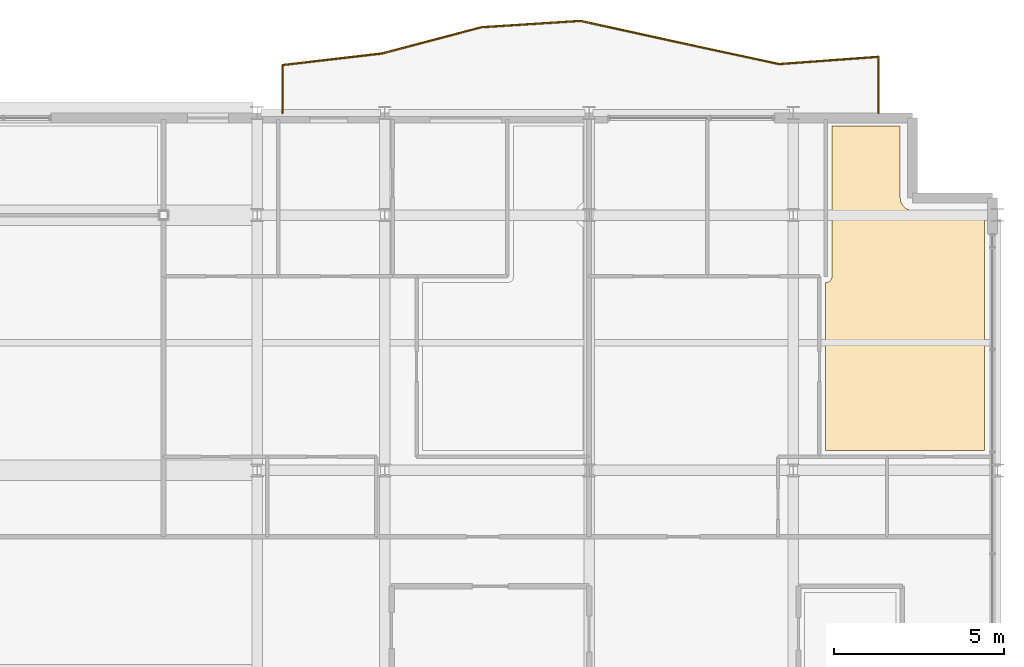
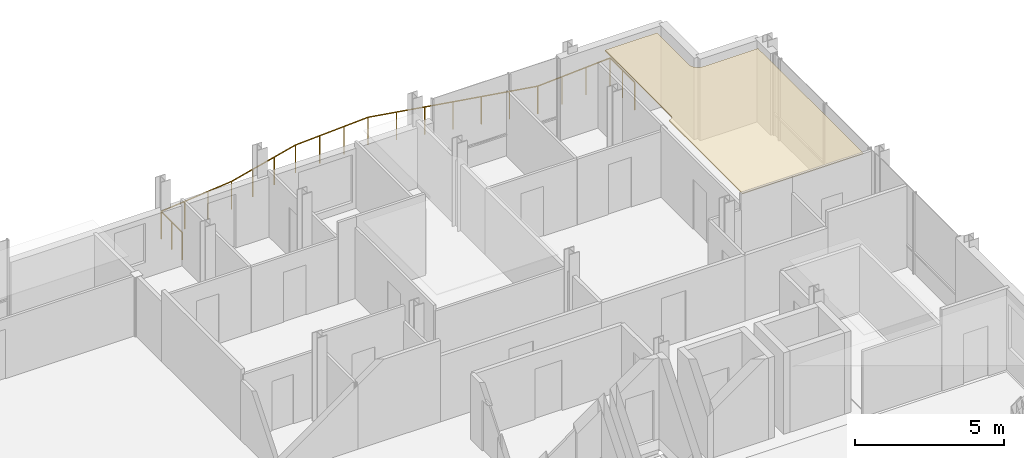
# One storey, part 35 of 35: 1 covering, 1 railing.
"""IFC4 building model written with IfcOpenShell, lengths in metres."""

from ifc_helpers import new_model, si_unit, direction, frame, origin, origin_2d, place, context, subcontext, project, spatial, polyline, circle, outline, extrude, material, layer, layer_set, type_object, element, save


model = new_model("IFC4")

# Units and contexts
model_context = context("Model", 3, precision=1e-05, world=origin(), true_north=direction((0.0, 1.0)))
body_context = subcontext(model_context, "Body", "Model", "MODEL_VIEW")
ifc_project = project(units=[si_unit("LENGTHUNIT", "METRE"), si_unit("AREAUNIT", "SQUARE_METRE"), si_unit("VOLUMEUNIT", "CUBIC_METRE"), si_unit("PLANEANGLEUNIT", "RADIAN"), si_unit("MASSUNIT", "GRAM", prefix="KILO")], contexts=[model_context])

# Site, building, storey
site_placement = place(None, origin())
site = spatial("IfcSite", under=ifc_project, at=site_placement, CompositionType="ELEMENT")
building_placement = place(site_placement, origin())
building = spatial("IfcBuilding", under=site, at=building_placement, Name="Brevholm Reach", CompositionType="ELEMENT")
storey_placement = place(building_placement, frame((0.0, 0.0, 214.39990234375)))
storey = spatial("IfcBuildingStorey", under=building, at=storey_placement, Name="L65", CompositionType="ELEMENT", Elevation=214.39990234375)

# Covering
ifc_material_1 = material(Name="Perforated Mineral-Fibre Class-A Acoustic Suspended Ceiling", Category="gypsum")
ifc_layer = layer(ifc_material_1, 0.044921875)
ifc_layer_set = layer_set([ifc_layer], Name="Perforated Mineral-Fibre Class-A Acoustic Suspended Ceiling")
covering_type = type_object("IfcCoveringType", Name="COV-CLG-AC", PredefinedType="CEILING", material=ifc_layer_set)
covering_placement = place(storey_placement, frame((0.0, 0.0, 3.114990234375)))
element("IfcCovering", 1, at=covering_placement, inside=storey, type_object=covering_type, Name="L65 Suspended Ceiling L65-60", PredefinedType="CEILING", context=body_context, shape_type="SweptSolid", body=[
    extrude(outline(polyline([(54.946044921875, 21.51611328125), (54.949951171875, 21.51611328125), (54.967529296875, 21.516845703125), (54.985107421875, 21.51953125), (55.002197265625, 21.523681640625), (55.018798828125, 21.52978515625), (55.034912109375, 21.537353515625), (55.050048828125, 21.54638671875), (55.064208984375, 21.556884765625), (55.077392578125, 21.568603515625), (55.081298828125, 21.57275390625), (55.093017578125, 21.585693359375), (55.103759765625, 21.60009765625), (55.11279296875, 21.614990234375), (55.120361328125, 21.631103515625), (55.126220703125, 21.647705078125), (55.130615234375, 21.664794921875), (55.133056640625, 21.682373046875), (55.134033203125, 21.699951171875), (55.134033203125, 26.1201171875), (57.139892578125, 26.1201171875), (57.139892578125, 24.0), (57.140869140625, 23.982177734375), (57.144287109375, 23.947021484375), (57.14697265625, 23.9296875), (57.151123046875, 23.912841796875), (57.161376953125, 23.879150390625), (57.167236328125, 23.8623046875), (57.1748046875, 23.84619140625), (57.19140625, 23.815185546875), (57.20068359375, 23.800048828125), (57.211181640625, 23.785888671875), (57.2333984375, 23.758544921875), (57.245361328125, 23.745361328125), (57.258544921875, 23.7333984375), (57.285888671875, 23.711181640625), (57.300048828125, 23.70068359375), (57.315185546875, 23.69140625), (57.34619140625, 23.6748046875), (57.3623046875, 23.667236328125), (57.379150390625, 23.661376953125), (57.412841796875, 23.651123046875), (57.4296875, 23.64697265625), (57.447021484375, 23.644287109375), (57.482177734375, 23.640869140625), (57.5, 23.639892578125), (59.6201171875, 23.639892578125), (59.6201171875, 23.623779296875), (59.6171875, 23.6162109375), (59.607666015625, 23.577880859375), (59.601806640625, 23.539306640625), (59.60009765625, 23.5), (59.601806640625, 23.460693359375), (59.607666015625, 23.422119140625), (59.6171875, 23.3837890625), (59.6201171875, 23.376220703125), (59.6201171875, 16.583984375), (54.946044921875, 16.583984375), (54.946044921875, 21.51611328125)])), origin(), (0.0, 0.0, 1.0), 0.045166015625),
])

# Railing
ifc_material_2 = material(Name="Brushed Stainless Steel EN 1.4401 and Laminated Glass", Category="steel")
railing_type = type_object("IfcRailingType", Name="RAL-BALC-1150", PredefinedType="BALUSTRADE", material=ifc_material_2)
railing_placement = place(storey_placement, frame((56.5, 26.5, 0.0)))
element("IfcRailing", 2, at=railing_placement, inside=storey, type_object=railing_type, Name="L65 Guard Balustrade RAL-L65-BAL-NE", PredefinedType="BALUSTRADE", context=body_context, shape_type="SweptSolid", body=[
    extrude(circle(Radius=0.02392578125, at=origin_2d()), frame((0.0, 0.0, 1.1259765625), z_axis=(0.0, 1.0, 0.0), x_axis=(-1.0, 0.0, 0.0)), (0.0, 0.0, 1.0), 1.650146484375),
    extrude(circle(Radius=0.02392578125, at=origin_2d()), frame((0.0, 1.650146484375, 1.1259765625), z_axis=(-0.997334760815, -0.072961461535, 0.0), x_axis=(0.072961461535, -0.997334760815, 0.0)), (0.0, 0.0, 1.0), 2.924560546875),
    extrude(circle(Radius=0.02392578125, at=origin_2d()), frame((-2.916748046875, 1.436767578125, 1.1259765625), z_axis=(-0.977699293222, 0.21000974271, 0.0), x_axis=(-0.21000974271, -0.977699293222, 0.0)), (0.0, 0.0, 1.0), 2.98291015625),
    extrude(circle(Radius=0.02392578125, at=origin_2d()), frame((-5.833251953125, 2.063232421875, 1.1259765625), z_axis=(-0.976633143635, 0.214913244715, 0.0), x_axis=(-0.214913244715, -0.976633143635, 0.0)), (0.0, 0.0, 1.0), 2.986572265625),
    extrude(circle(Radius=0.02392578125, at=origin_2d()), frame((-8.75, 2.705078125, 1.1259765625), z_axis=(-0.997945514781, -0.06406831923, 0.0), x_axis=(0.06406831923, -0.997945514781, 0.0)), (0.0, 0.0, 1.0), 2.9228515625),
    extrude(circle(Radius=0.02392578125, at=origin_2d()), frame((-11.666748046875, 2.517822265625, 1.1259765625), z_axis=(-0.966868735292, -0.255274065889, 0.0), x_axis=(0.255274065889, -0.966868735292, 0.0)), (0.0, 0.0, 1.0), 3.016357421875),
    extrude(circle(Radius=0.02392578125, at=origin_2d()), frame((-14.583251953125, 1.747802734375, 1.1259765625), z_axis=(-0.99329006652, -0.11564965954, 0.0), x_axis=(0.11564965954, -0.99329006652, 0.0)), (0.0, 0.0, 1.0), 2.9365234375),
    extrude(circle(Radius=0.02392578125, at=origin_2d()), frame((-17.5, 1.408203125, 1.1259765625), z_axis=(0.0, -1.0, 0.0), x_axis=(1.0, 0.0, 0.0)), (0.0, 0.0, 1.0), 1.408203125),
    extrude(circle(Radius=0.02099609375, at=origin_2d()), origin(), (0.0, 0.0, 1.0), 1.101806640625),
    extrude(circle(Radius=0.02099609375, at=origin_2d()), frame((0.0, 0.8251953125, 0.0)), (0.0, 0.0, 1.0), 1.101806640625),
    extrude(circle(Radius=0.02099609375, at=origin_2d()), frame((0.0, 1.650146484375, 0.0)), (0.0, 0.0, 1.0), 1.101806640625),
    extrude(circle(Radius=0.02099609375, at=origin_2d()), frame((-0.97216796875, 1.5791015625, 0.0)), (0.0, 0.0, 1.0), 1.101806640625),
    extrude(circle(Radius=0.02099609375, at=origin_2d()), frame((-1.944580078125, 1.5078125, 0.0)), (0.0, 0.0, 1.0), 1.101806640625),
    extrude(circle(Radius=0.02099609375, at=origin_2d()), frame((-2.916748046875, 1.436767578125, 0.0)), (0.0, 0.0, 1.0), 1.101806640625),
    extrude(circle(Radius=0.02099609375, at=origin_2d()), frame((-3.888916015625, 1.6455078125, 0.0)), (0.0, 0.0, 1.0), 1.101806640625),
    extrude(circle(Radius=0.02099609375, at=origin_2d()), frame((-4.861083984375, 1.8544921875, 0.0)), (0.0, 0.0, 1.0), 1.101806640625),
    extrude(circle(Radius=0.02099609375, at=origin_2d()), frame((-5.833251953125, 2.063232421875, 0.0)), (0.0, 0.0, 1.0), 1.101806640625),
    extrude(circle(Radius=0.02099609375, at=origin_2d()), frame((-6.805419921875, 2.277099609375, 0.0)), (0.0, 0.0, 1.0), 1.101806640625),
    extrude(circle(Radius=0.02099609375, at=origin_2d()), frame((-7.77783203125, 2.4912109375, 0.0)), (0.0, 0.0, 1.0), 1.101806640625),
    extrude(circle(Radius=0.02099609375, at=origin_2d()), frame((-8.75, 2.705078125, 0.0)), (0.0, 0.0, 1.0), 1.101806640625),
    extrude(circle(Radius=0.02099609375, at=origin_2d()), frame((-9.72216796875, 2.642578125, 0.0)), (0.0, 0.0, 1.0), 1.101806640625),
    extrude(circle(Radius=0.02099609375, at=origin_2d()), frame((-10.694580078125, 2.580322265625, 0.0)), (0.0, 0.0, 1.0), 1.101806640625),
    extrude(circle(Radius=0.02099609375, at=origin_2d()), frame((-11.666748046875, 2.517822265625, 0.0)), (0.0, 0.0, 1.0), 1.101806640625),
    extrude(circle(Radius=0.02099609375, at=origin_2d()), frame((-12.638916015625, 2.26123046875, 0.0)), (0.0, 0.0, 1.0), 1.101806640625),
    extrude(circle(Radius=0.02099609375, at=origin_2d()), frame((-13.611083984375, 2.00439453125, 0.0)), (0.0, 0.0, 1.0), 1.101806640625),
    extrude(circle(Radius=0.02099609375, at=origin_2d()), frame((-14.583251953125, 1.747802734375, 0.0)), (0.0, 0.0, 1.0), 1.101806640625),
    extrude(circle(Radius=0.02099609375, at=origin_2d()), frame((-15.555419921875, 1.634521484375, 0.0)), (0.0, 0.0, 1.0), 1.101806640625),
    extrude(circle(Radius=0.02099609375, at=origin_2d()), frame((-16.52783203125, 1.521484375, 0.0)), (0.0, 0.0, 1.0), 1.101806640625),
    extrude(circle(Radius=0.02099609375, at=origin_2d()), frame((-17.5, 1.408203125, 0.0)), (0.0, 0.0, 1.0), 1.101806640625),
    extrude(circle(Radius=0.02099609375, at=origin_2d()), frame((-17.5, 0.7041015625, 0.0)), (0.0, 0.0, 1.0), 1.101806640625),
    extrude(circle(Radius=0.02099609375, at=origin_2d()), frame((-17.5, 0.0, 0.0)), (0.0, 0.0, 1.0), 1.101806640625),
])

save(model, "model.ifc")
